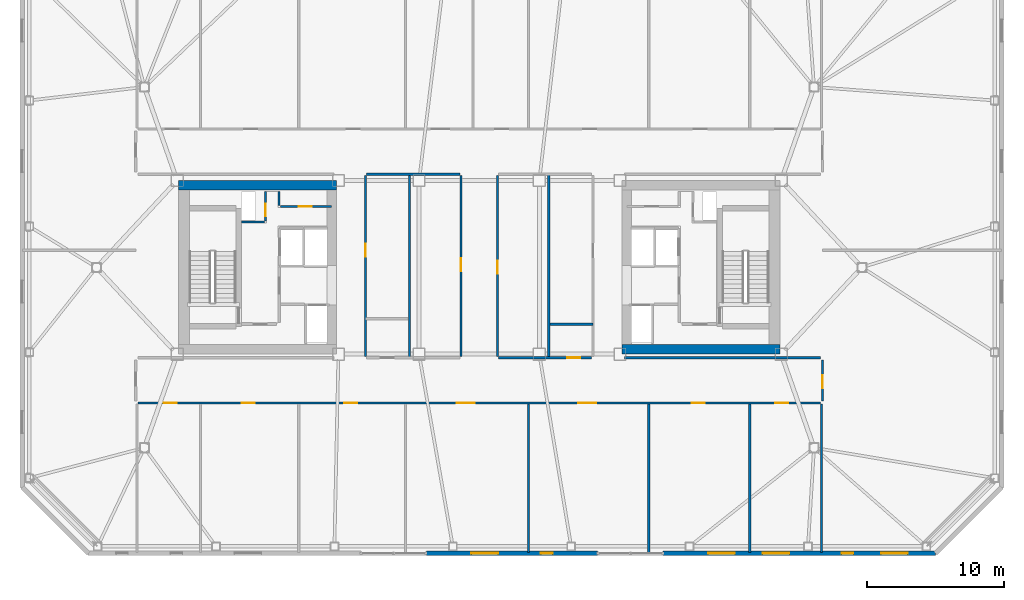
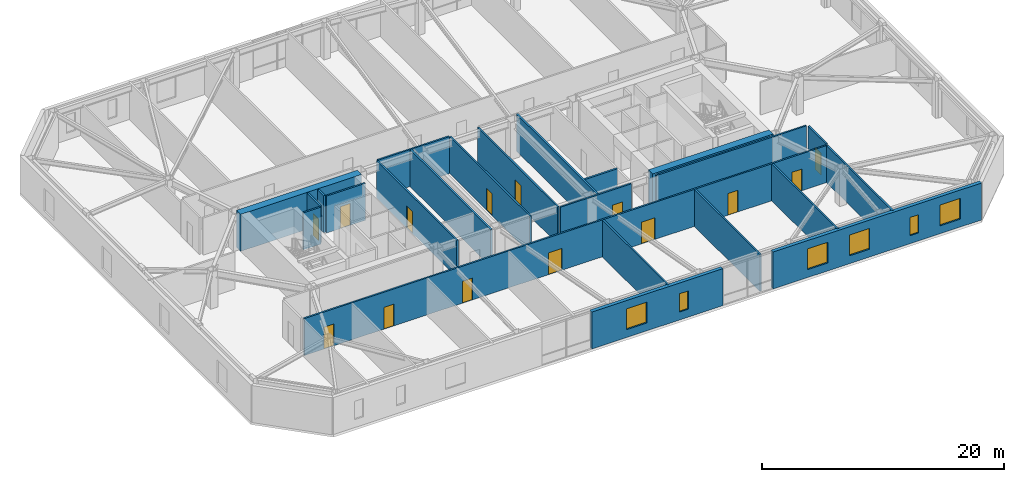
# One storey, part 11 of 18: 23 walls, 14 doors, 6 windows, 20 openings.
"""IFC4 building model written with IfcOpenShell, lengths in metres."""

from ifc_helpers import new_model, si_unit, direction, frame, frame_2d, origin, place, context, subcontext, project, spatial, rectangle, extrude, material, layer, layer_set, type_object, element, fill, save


model = new_model("IFC4")

# Units and contexts
model_context = context("Model", 3, precision=1e-05, world=origin(), true_north=direction((0.0, 1.0)))
body_context = subcontext(model_context, "Body", "Model", "MODEL_VIEW")
ifc_project = project(units=[si_unit("LENGTHUNIT", "METRE"), si_unit("AREAUNIT", "SQUARE_METRE"), si_unit("VOLUMEUNIT", "CUBIC_METRE"), si_unit("PLANEANGLEUNIT", "RADIAN"), si_unit("MASSUNIT", "GRAM", prefix="KILO")], contexts=[model_context])

# Site, building, storey
site_placement = place(None, origin())
site = spatial("IfcSite", under=ifc_project, at=site_placement, CompositionType="ELEMENT")
building_placement = place(site_placement, origin())
building = spatial("IfcBuilding", under=site, at=building_placement, Name="Tavrogorsk Clinical Tower", CompositionType="ELEMENT")
storey_placement = place(building_placement, frame((0.0, 0.0, 192.199951171875)))
storey = spatial("IfcBuildingStorey", under=building, at=storey_placement, Name="L44", CompositionType="ELEMENT", Elevation=192.199951171875)

# Wall, opening, door
ifc_material_1 = material(Name="Lightweight concrete blockwork B15", Category="masonry")
ifc_layer_1 = layer(ifc_material_1, 0.159912109375)
ifc_layer_set_1 = layer_set([ifc_layer_1], Name="Lightweight concrete blockwork B15")
wall_type_1 = type_object("IfcWallType", Name="PartitionWall_160", PredefinedType="PARTITIONING", material=ifc_layer_set_1)
wall_1_placement = place(storey_placement, frame((-14.554931640625, 4.4599609375, 0.0), z_axis=(0.0, 0.0, 1.0), x_axis=(1.0, 0.0, 0.0)))
wall_1 = element("IfcWall", 1, at=wall_1_placement, inside=storey, type_object=wall_type_1, Name="L44 Core West Pneumatic Dispatch South Wall", PredefinedType="PARTITIONING", context=body_context, shape_type="SweptSolid", body=[
    extrude(rectangle(XDim=3.7548828125, YDim=0.159912109375, at=frame_2d((1.87744140625, 0.0))), origin(), (0.0, 0.0, 1.0), 3.739990234375),
])
opening_1_placement = place(wall_1_placement, frame((1.35009765625, 0.0, 0.0)))
opening_1 = element("IfcOpeningElement", 2, at=opening_1_placement, cuts=wall_1, Name="Opening ID-02", PredefinedType="OPENING", context=body_context, shape_type="SweptSolid", body=[
    extrude(rectangle(XDim=0.949951171875, YDim=2.199951171875, at=frame_2d((0.47509765625, 1.10009765625))), frame((0.0, 0.08984375, 0.0), z_axis=(0.0, -1.0, 0.0), x_axis=(1.0, 0.0, 0.0)), (0.0, 0.0, 1.0), 0.179931640625),
])
ifc_material_2 = material(Name="Laminated timber leaf on aluminium frame", Category="wood")
door_type_1 = type_object("IfcDoorType", Name="InteriorDoor_ID02_950", OperationType="NOTDEFINED", PredefinedType="DOOR", material=ifc_material_2)
door_1_placement = place(opening_1_placement, origin())
door_1 = element("IfcDoor", 3, at=door_1_placement, inside=storey, type_object=door_type_1, Name="L44 Core West Pneumatic Dispatch Door", OperationType="SINGLE_SWING_LEFT", OverallHeight=2.199951171875, OverallWidth=0.949951171875, PredefinedType="DOOR", context=body_context, shape_type="SweptSolid", body=[
    extrude(rectangle(XDim=0.949951171875, YDim=2.199951171875, at=frame_2d((0.47509765625, 1.10009765625))), frame((0.0, 0.02490234375, 0.0), z_axis=(0.0, -1.0, 0.0), x_axis=(1.0, 0.0, 0.0)), (0.0, 0.0, 1.0), 0.050048828125),
])
fill(opening_1, door_1)

# Walls
wall_2_placement = place(storey_placement, frame((-14.639892578125, 4.544921875, 0.0), z_axis=(0.0, 0.0, 1.0), x_axis=(0.0, 1.0, 0.0)))
element("IfcWall", 4, at=wall_2_placement, inside=storey, type_object=wall_type_1, Name="L44 Core West Pneumatic Dispatch East Wall", PredefinedType="PARTITIONING", context=body_context, shape_type="SweptSolid", body=[
    extrude(rectangle(XDim=1.01513671875, YDim=0.159912109375, at=frame_2d((0.507568359375, 0.0))), origin(), (0.0, 0.0, 1.0), 3.739990234375),
])
wall_3_placement = place(storey_placement, frame((10.6298828125, -6.6201171875, 0.0), z_axis=(0.0, 0.0, 1.0), x_axis=(1.0, 0.0, 0.0)))
element("IfcWall", 5, at=wall_3_placement, inside=storey, type_object=wall_type_1, Name="L44 Corridor Partition 08", PredefinedType="PARTITIONING", context=body_context, shape_type="SweptSolid", body=[
    extrude(rectangle(XDim=14.335205078125, YDim=0.159912109375, at=frame_2d((7.16748046875, 0.0))), origin(), (0.0, 0.0, 1.0), 3.739990234375),
])

# Wall, opening, door
wall_4_placement = place(storey_placement, frame((25.1298828125, -6.784912109375, 0.0), z_axis=(0.0, 0.0, 1.0), x_axis=(0.0, -1.0, 0.0)))
wall_4 = element("IfcWall", 6, at=wall_4_placement, inside=storey, type_object=wall_type_1, Name="L44 Corridor Partition 09", PredefinedType="PARTITIONING", context=body_context, shape_type="SweptSolid", body=[
    extrude(rectangle(XDim=2.97998046875, YDim=0.159912109375, at=frame_2d((1.489990234375, 0.0))), origin(), (0.0, 0.0, 1.0), 3.739990234375),
])
opening_2_placement = place(wall_4_placement, frame((1.10009765625, 0.0, 0.0)))
opening_2 = element("IfcOpeningElement", 7, at=opening_2_placement, cuts=wall_4, Name="Opening ID-02", PredefinedType="OPENING", context=body_context, shape_type="SweptSolid", body=[
    extrude(rectangle(XDim=0.949951171875, YDim=2.199951171875, at=frame_2d((0.47509765625, 1.10009765625))), frame((0.0, 0.08984375, 0.0), z_axis=(0.0, -1.0, 0.0), x_axis=(1.0, 0.0, 0.0)), (0.0, 0.0, 1.0), 0.179931640625),
])
door_2_placement = place(opening_2_placement, origin())
door_2 = element("IfcDoor", 8, at=door_2_placement, inside=storey, type_object=door_type_1, Name="L44 E Senior Clinician Suite 1 Door", OperationType="SINGLE_SWING_RIGHT", OverallHeight=2.199951171875, OverallWidth=0.949951171875, PredefinedType="DOOR", context=body_context, shape_type="SweptSolid", body=[
    extrude(rectangle(XDim=0.949951171875, YDim=2.199951171875, at=frame_2d((0.47509765625, 1.10009765625))), frame((0.0, 0.02490234375, 0.0), z_axis=(0.0, -1.0, 0.0), x_axis=(1.0, 0.0, 0.0)), (0.0, 0.0, 1.0), 0.050048828125),
])
fill(opening_2, door_2)

# Wall, openings, doors
wall_5_placement = place(storey_placement, frame((24.965087890625, -9.929931640625, 0.0), z_axis=(0.0, 0.0, 1.0), x_axis=(-1.0, 0.0, 0.0)))
wall_5 = element("IfcWall", 9, at=wall_5_placement, inside=storey, type_object=wall_type_1, Name="L44 Corridor Partition 10", PredefinedType="PARTITIONING", context=body_context, shape_type="SweptSolid", body=[
    extrude(rectangle(XDim=49.93017578125, YDim=0.159912109375, at=frame_2d((24.965087890625, 0.0))), origin(), (0.0, 0.0, 1.0), 3.739990234375),
])
opening_3_placement = place(wall_5_placement, frame((47.10595703125, 0.0, 0.0)))
opening_3 = element("IfcOpeningElement", 10, at=opening_3_placement, cuts=wall_5, Name="Opening ID-02", PredefinedType="OPENING", context=body_context, shape_type="SweptSolid", body=[
    extrude(rectangle(XDim=0.949951171875, YDim=2.199951171875, at=frame_2d((0.47509765625, 1.10009765625))), frame((0.0, 0.08984375, 0.0), z_axis=(0.0, -1.0, 0.0), x_axis=(1.0, 0.0, 0.0)), (0.0, 0.0, 1.0), 0.179931640625),
])
opening_4_placement = place(wall_5_placement, frame((41.375, 0.0, 0.0)))
opening_4 = element("IfcOpeningElement", 11, at=opening_4_placement, cuts=wall_5, Name="Opening ID-02", PredefinedType="OPENING", context=body_context, shape_type="SweptSolid", body=[
    extrude(rectangle(XDim=0.949951171875, YDim=2.199951171875, at=frame_2d((0.47509765625, 1.10009765625))), frame((0.0, 0.08984375, 0.0), z_axis=(0.0, -1.0, 0.0), x_axis=(1.0, 0.0, 0.0)), (0.0, 0.0, 1.0), 0.179931640625),
])
opening_5_placement = place(wall_5_placement, frame((33.875, 0.0, 0.0)))
opening_5 = element("IfcOpeningElement", 12, at=opening_5_placement, cuts=wall_5, Name="Opening ID-02", PredefinedType="OPENING", context=body_context, shape_type="SweptSolid", body=[
    extrude(rectangle(XDim=0.949951171875, YDim=2.199951171875, at=frame_2d((0.47509765625, 1.10009765625))), frame((0.0, 0.08984375, 0.0), z_axis=(0.0, -1.0, 0.0), x_axis=(1.0, 0.0, 0.0)), (0.0, 0.0, 1.0), 0.179931640625),
])
opening_6_placement = place(wall_5_placement, frame((25.300048828125, 0.0, 0.0)))
opening_6 = element("IfcOpeningElement", 13, at=opening_6_placement, cuts=wall_5, Name="Opening ID-01", PredefinedType="OPENING", context=body_context, shape_type="SweptSolid", body=[
    extrude(rectangle(XDim=1.300048828125, YDim=2.199951171875, at=frame_2d((0.64990234375, 1.10009765625))), frame((0.0, 0.08984375, 0.0), z_axis=(0.0, -1.0, 0.0), x_axis=(1.0, 0.0, 0.0)), (0.0, 0.0, 1.0), 0.179931640625),
])
opening_7_placement = place(wall_5_placement, frame((16.39990234375, 0.0, 0.0)))
opening_7 = element("IfcOpeningElement", 14, at=opening_7_placement, cuts=wall_5, Name="Opening ID-01", PredefinedType="OPENING", context=body_context, shape_type="SweptSolid", body=[
    extrude(rectangle(XDim=1.300048828125, YDim=2.199951171875, at=frame_2d((0.64990234375, 1.10009765625))), frame((0.0, 0.08984375, 0.0), z_axis=(0.0, -1.0, 0.0), x_axis=(1.0, 0.0, 0.0)), (0.0, 0.0, 1.0), 0.179931640625),
])
opening_8_placement = place(wall_5_placement, frame((8.47509765625, 0.0, 0.0)))
opening_8 = element("IfcOpeningElement", 15, at=opening_8_placement, cuts=wall_5, Name="Opening ID-02", PredefinedType="OPENING", context=body_context, shape_type="SweptSolid", body=[
    extrude(rectangle(XDim=0.949951171875, YDim=2.199951171875, at=frame_2d((0.47509765625, 1.10009765625))), frame((0.0, 0.08984375, 0.0), z_axis=(0.0, -1.0, 0.0), x_axis=(1.0, 0.0, 0.0)), (0.0, 0.0, 1.0), 0.179931640625),
])
opening_9_placement = place(wall_5_placement, frame((2.343994140625, 0.0, 0.0)))
opening_9 = element("IfcOpeningElement", 16, at=opening_9_placement, cuts=wall_5, Name="Opening ID-02", PredefinedType="OPENING", context=body_context, shape_type="SweptSolid", body=[
    extrude(rectangle(XDim=0.949951171875, YDim=2.199951171875, at=frame_2d((0.47509765625, 1.10009765625))), frame((0.0, 0.08984375, 0.0), z_axis=(0.0, -1.0, 0.0), x_axis=(1.0, 0.0, 0.0)), (0.0, 0.0, 1.0), 0.179931640625),
])
door_3_placement = place(opening_3_placement, origin())
door_3 = element("IfcDoor", 17, at=door_3_placement, inside=storey, type_object=door_type_1, Name="L44 South Soiled Utility & Sluice Room 01 Door", OperationType="SINGLE_SWING_LEFT", OverallHeight=2.199951171875, OverallWidth=0.949951171875, PredefinedType="DOOR", context=body_context, shape_type="SweptSolid", body=[
    extrude(rectangle(XDim=0.949951171875, YDim=2.199951171875, at=frame_2d((0.47509765625, 1.10009765625))), frame((0.0, 0.02490234375, 0.0), z_axis=(0.0, -1.0, 0.0), x_axis=(1.0, 0.0, 0.0)), (0.0, 0.0, 1.0), 0.050048828125),
])
fill(opening_3, door_3)
door_4_placement = place(opening_4_placement, origin())
door_4 = element("IfcDoor", 18, at=door_4_placement, inside=storey, type_object=door_type_1, Name="L44 South Clinical Case Seminar Room 02 Door", OperationType="SINGLE_SWING_RIGHT", OverallHeight=2.199951171875, OverallWidth=0.949951171875, PredefinedType="DOOR", context=body_context, shape_type="SweptSolid", body=[
    extrude(rectangle(XDim=0.949951171875, YDim=2.199951171875, at=frame_2d((0.47509765625, 1.10009765625))), frame((0.0, 0.02490234375, 0.0), z_axis=(0.0, -1.0, 0.0), x_axis=(1.0, 0.0, 0.0)), (0.0, 0.0, 1.0), 0.050048828125),
])
fill(opening_4, door_4)
door_5_placement = place(opening_5_placement, origin())
door_5 = element("IfcDoor", 19, at=door_5_placement, inside=storey, type_object=door_type_1, Name="L44 South Staff Rest & Nourishment Lounge 03 Door", OperationType="SINGLE_SWING_LEFT", OverallHeight=2.199951171875, OverallWidth=0.949951171875, PredefinedType="DOOR", context=body_context, shape_type="SweptSolid", body=[
    extrude(rectangle(XDim=0.949951171875, YDim=2.199951171875, at=frame_2d((0.47509765625, 1.10009765625))), frame((0.0, 0.02490234375, 0.0), z_axis=(0.0, -1.0, 0.0), x_axis=(1.0, 0.0, 0.0)), (0.0, 0.0, 1.0), 0.050048828125),
])
fill(opening_5, door_5)
door_6_placement = place(opening_8_placement, origin())
door_6 = element("IfcDoor", 20, at=door_6_placement, inside=storey, type_object=door_type_1, Name="L44 South Soiled Utility & Sluice Room 06 Door", OperationType="SINGLE_SWING_RIGHT", OverallHeight=2.199951171875, OverallWidth=0.949951171875, PredefinedType="DOOR", context=body_context, shape_type="SweptSolid", body=[
    extrude(rectangle(XDim=0.949951171875, YDim=2.199951171875, at=frame_2d((0.47509765625, 1.10009765625))), frame((0.0, 0.02490234375, 0.0), z_axis=(0.0, -1.0, 0.0), x_axis=(1.0, 0.0, 0.0)), (0.0, 0.0, 1.0), 0.050048828125),
])
fill(opening_8, door_6)
door_7_placement = place(opening_9_placement, origin())
door_7 = element("IfcDoor", 21, at=door_7_placement, inside=storey, type_object=door_type_1, Name="L44 South Clinical Case Seminar Room 07 Door", OperationType="SINGLE_SWING_LEFT", OverallHeight=2.199951171875, OverallWidth=0.949951171875, PredefinedType="DOOR", context=body_context, shape_type="SweptSolid", body=[
    extrude(rectangle(XDim=0.949951171875, YDim=2.199951171875, at=frame_2d((0.47509765625, 1.10009765625))), frame((0.0, 0.02490234375, 0.0), z_axis=(0.0, -1.0, 0.0), x_axis=(1.0, 0.0, 0.0)), (0.0, 0.0, 1.0), 0.050048828125),
])
fill(opening_9, door_7)
ifc_material_3 = material(Name="Antibacterial HPL medical leaf on aluminium frame", Category="aluminium")
door_type_2 = type_object("IfcDoorType", Name="WardBedDoor_ID01_1300", OperationType="NOTDEFINED", PredefinedType="DOOR", material=ifc_material_3)
door_8_placement = place(opening_6_placement, origin())
door_8 = element("IfcDoor", 22, at=door_8_placement, inside=storey, type_object=door_type_2, Name="L44 South Bariatric Observation Ward 04 Door", OperationType="SINGLE_SWING_RIGHT", OverallHeight=2.199951171875, OverallWidth=1.300048828125, PredefinedType="DOOR", context=body_context, shape_type="SweptSolid", body=[
    extrude(rectangle(XDim=1.300048828125, YDim=2.199951171875, at=frame_2d((0.64990234375, 1.10009765625))), frame((0.0, 0.02490234375, 0.0), z_axis=(0.0, -1.0, 0.0), x_axis=(1.0, 0.0, 0.0)), (0.0, 0.0, 1.0), 0.050048828125),
])
fill(opening_6, door_8)
door_9_placement = place(opening_7_placement, origin())
door_9 = element("IfcDoor", 23, at=door_9_placement, inside=storey, type_object=door_type_2, Name="L44 South Surgical Step-Down Ward 05 Door", OperationType="SINGLE_SWING_LEFT", OverallHeight=2.199951171875, OverallWidth=1.300048828125, PredefinedType="DOOR", context=body_context, shape_type="SweptSolid", body=[
    extrude(rectangle(XDim=1.300048828125, YDim=2.199951171875, at=frame_2d((0.64990234375, 1.10009765625))), frame((0.0, 0.02490234375, 0.0), z_axis=(0.0, -1.0, 0.0), x_axis=(1.0, 0.0, 0.0)), (0.0, 0.0, 1.0), 0.050048828125),
])
fill(opening_7, door_9)

# Wall, opening, door
wall_6_placement = place(storey_placement, frame((1.330078125, 6.735107421875, 0.0), z_axis=(0.0, 0.0, 1.0), x_axis=(0.0, -1.0, 0.0)))
wall_6 = element("IfcWall", 24, at=wall_6_placement, inside=storey, type_object=wall_type_1, Name="L44 Corridor Partition 12", PredefinedType="PARTITIONING", context=body_context, shape_type="SweptSolid", body=[
    extrude(rectangle(XDim=13.27001953125, YDim=0.159912109375, at=frame_2d((6.635009765625, 0.0))), origin(), (0.0, 0.0, 1.0), 3.739990234375),
])
opening_10_placement = place(wall_6_placement, frame((6.2451171875, 0.0, 0.0)))
opening_10 = element("IfcOpeningElement", 25, at=opening_10_placement, cuts=wall_6, Name="Opening ID-02", PredefinedType="OPENING", context=body_context, shape_type="SweptSolid", body=[
    extrude(rectangle(XDim=0.949951171875, YDim=2.199951171875, at=frame_2d((0.47509765625, 1.10009765625))), frame((0.0, 0.08984375, 0.0), z_axis=(0.0, -1.0, 0.0), x_axis=(1.0, 0.0, 0.0)), (0.0, 0.0, 1.0), 0.179931640625),
])
door_10_placement = place(opening_10_placement, origin())
door_10 = element("IfcDoor", 26, at=door_10_placement, inside=storey, type_object=door_type_1, Name="L44 Clean Medication Preparation Room Door", OperationType="SINGLE_SWING_LEFT", OverallHeight=2.199951171875, OverallWidth=0.949951171875, PredefinedType="DOOR", context=body_context, shape_type="SweptSolid", body=[
    extrude(rectangle(XDim=0.949951171875, YDim=2.199951171875, at=frame_2d((0.47509765625, 1.10009765625))), frame((0.0, 0.02490234375, 0.0), z_axis=(0.0, -1.0, 0.0), x_axis=(1.0, 0.0, 0.0)), (0.0, 0.0, 1.0), 0.050048828125),
])
fill(opening_10, door_10)

wall_7_placement = place(storey_placement, frame((1.4150390625, -6.6201171875, 0.0), z_axis=(0.0, 0.0, 1.0), x_axis=(1.0, 0.0, 0.0)))
wall_7 = element("IfcWall", 27, at=wall_7_placement, inside=storey, type_object=wall_type_1, Name="L44 Corridor Partition 13", PredefinedType="PARTITIONING", context=body_context, shape_type="SweptSolid", body=[
    extrude(rectangle(XDim=6.820068359375, YDim=0.159912109375, at=frame_2d((3.41015625, 0.0))), origin(), (0.0, 0.0, 1.0), 3.739990234375),
])
opening_11_placement = place(wall_7_placement, frame((5.010986328125, 0.0, 0.0)))
opening_11 = element("IfcOpeningElement", 28, at=opening_11_placement, cuts=wall_7, Name="Opening ID-02", PredefinedType="OPENING", context=body_context, shape_type="SweptSolid", body=[
    extrude(rectangle(XDim=0.949951171875, YDim=2.199951171875, at=frame_2d((0.47509765625, 1.10009765625))), frame((0.0, 0.08984375, 0.0), z_axis=(0.0, -1.0, 0.0), x_axis=(1.0, 0.0, 0.0)), (0.0, 0.0, 1.0), 0.179931640625),
])
door_11_placement = place(opening_11_placement, origin())
door_11 = element("IfcDoor", 29, at=door_11_placement, inside=storey, type_object=door_type_1, Name="L44 Staff & Visitor Accessible WC Door", OperationType="SINGLE_SWING_RIGHT", OverallHeight=2.199951171875, OverallWidth=0.949951171875, PredefinedType="DOOR", context=body_context, shape_type="SweptSolid", body=[
    extrude(rectangle(XDim=0.949951171875, YDim=2.199951171875, at=frame_2d((0.47509765625, 1.10009765625))), frame((0.0, 0.02490234375, 0.0), z_axis=(0.0, -1.0, 0.0), x_axis=(1.0, 0.0, 0.0)), (0.0, 0.0, 1.0), 0.050048828125),
])
fill(opening_11, door_11)

wall_8_placement = place(storey_placement, frame((-1.330078125, -6.534912109375, 0.0), z_axis=(0.0, 0.0, 1.0), x_axis=(0.0, 1.0, 0.0)))
wall_8 = element("IfcWall", 30, at=wall_8_placement, inside=storey, type_object=wall_type_1, Name="L44 Corridor Partition 15", PredefinedType="PARTITIONING", context=body_context, shape_type="SweptSolid", body=[
    extrude(rectangle(XDim=13.27001953125, YDim=0.159912109375, at=frame_2d((6.635009765625, 0.0))), origin(), (0.0, 0.0, 1.0), 3.739990234375),
])
opening_12_placement = place(wall_8_placement, frame((6.2451171875, 0.0, 0.0)))
opening_12 = element("IfcOpeningElement", 31, at=opening_12_placement, cuts=wall_8, Name="Opening ID-02", PredefinedType="OPENING", context=body_context, shape_type="SweptSolid", body=[
    extrude(rectangle(XDim=0.949951171875, YDim=2.199951171875, at=frame_2d((0.47509765625, 1.10009765625))), frame((0.0, 0.08984375, 0.0), z_axis=(0.0, -1.0, 0.0), x_axis=(1.0, 0.0, 0.0)), (0.0, 0.0, 1.0), 0.179931640625),
])
door_12_placement = place(opening_12_placement, origin())
door_12 = element("IfcDoor", 32, at=door_12_placement, inside=storey, type_object=door_type_1, Name="L44 Nurses' Station & Telemetry Hub Door", OperationType="SINGLE_SWING_RIGHT", OverallHeight=2.199951171875, OverallWidth=0.949951171875, PredefinedType="DOOR", context=body_context, shape_type="SweptSolid", body=[
    extrude(rectangle(XDim=0.949951171875, YDim=2.199951171875, at=frame_2d((0.47509765625, 1.10009765625))), frame((0.0, 0.02490234375, 0.0), z_axis=(0.0, -1.0, 0.0), x_axis=(1.0, 0.0, 0.0)), (0.0, 0.0, 1.0), 0.050048828125),
])
fill(opening_12, door_12)

# Wall
wall_9_placement = place(storey_placement, frame((-1.4150390625, 6.820068359375, 0.0), z_axis=(0.0, 0.0, 1.0), x_axis=(-1.0, 0.0, 0.0)))
element("IfcWall", 33, at=wall_9_placement, inside=storey, type_object=wall_type_1, Name="L44 Corridor Partition 16", PredefinedType="PARTITIONING", context=body_context, shape_type="SweptSolid", body=[
    extrude(rectangle(XDim=6.820068359375, YDim=0.159912109375, at=frame_2d((3.41015625, 0.0))), origin(), (0.0, 0.0, 1.0), 3.739990234375),
])

# Wall, opening, door
wall_10_placement = place(storey_placement, frame((-8.320068359375, 6.735107421875, 0.0), z_axis=(0.0, 0.0, 1.0), x_axis=(0.0, -1.0, 0.0)))
wall_10 = element("IfcWall", 34, at=wall_10_placement, inside=storey, type_object=wall_type_1, Name="L44 Corridor Partition 17", PredefinedType="PARTITIONING", context=body_context, shape_type="SweptSolid", body=[
    extrude(rectangle(XDim=13.27001953125, YDim=0.159912109375, at=frame_2d((6.635009765625, 0.0))), origin(), (0.0, 0.0, 1.0), 3.739990234375),
])
opening_13_placement = place(wall_10_placement, frame((5.004150390625, 0.0, 0.0)))
opening_13 = element("IfcOpeningElement", 35, at=opening_13_placement, cuts=wall_10, Name="Opening ID-02", PredefinedType="OPENING", context=body_context, shape_type="SweptSolid", body=[
    extrude(rectangle(XDim=0.949951171875, YDim=2.199951171875, at=frame_2d((0.47509765625, 1.10009765625))), frame((0.0, 0.08984375, 0.0), z_axis=(0.0, -1.0, 0.0), x_axis=(1.0, 0.0, 0.0)), (0.0, 0.0, 1.0), 0.179931640625),
])
door_13_placement = place(opening_13_placement, origin())
door_13 = element("IfcDoor", 36, at=door_13_placement, inside=storey, type_object=door_type_1, Name="L44 Ward Nourishment Pantry Door", OperationType="SINGLE_SWING_LEFT", OverallHeight=2.199951171875, OverallWidth=0.949951171875, PredefinedType="DOOR", context=body_context, shape_type="SweptSolid", body=[
    extrude(rectangle(XDim=0.949951171875, YDim=2.199951171875, at=frame_2d((0.47509765625, 1.10009765625))), frame((0.0, 0.02490234375, 0.0), z_axis=(0.0, -1.0, 0.0), x_axis=(1.0, 0.0, 0.0)), (0.0, 0.0, 1.0), 0.050048828125),
])
fill(opening_13, door_13)

# Walls
for number, where, z_axis, x_axis, name in (
    (37, (25.050048828125, -20.860107421875, 0.0), (0.0, 0.0, 1.0), (0.0, 1.0, 0.0), "L44 SE Wing Closure Partition"),
    (38, (3.60009765625, -20.860107421875, 0.0), (0.0, 0.0, 1.0), (0.0, 1.0, 0.0), "L44 South Room Partition 4"),
    (39, (12.39990234375, -20.860107421875, 0.0), (0.0, 0.0, 1.0), (0.0, 1.0, 0.0), "L44 South Room Partition 5"),
    (40, (19.800048828125, -20.860107421875, 0.0), (0.0, 0.0, 1.0), (0.0, 1.0, 0.0), "L44 South Room Partition 6"),
):
    element("IfcWall", number, at=place(storey_placement, frame(where, z_axis=z_axis, x_axis=x_axis)), inside=storey, type_object=wall_type_1, Name=name, PredefinedType="PARTITIONING", context=body_context, shape_type="SweptSolid", body=[
        extrude(rectangle(XDim=10.84521484375, YDim=0.159912109375, at=frame_2d((5.422607421875, 0.0))), origin(), (0.0, 0.0, 1.0), 3.739990234375),
    ])
ifc_material_4 = material(Name="Lightweight concrete blockwork B20", Category="masonry")
ifc_layer_2 = layer(ifc_material_4, 0.179931640625)
ifc_layer_set_2 = layer_set([ifc_layer_2], Name="Lightweight concrete blockwork B20")
wall_type_2 = type_object("IfcWallType", Name="PartitionWall_180", PredefinedType="PARTITIONING", material=ifc_layer_set_2)
for number, where, z_axis, x_axis, name in (
    (41, (-5.10009765625, -6.614990234375, 0.0), (0.0, 0.0, 1.0), (0.0, 1.0, 0.0), "L44 Central Spine Partition 1"),
    (42, (5.10009765625, -6.614990234375, 0.0), (0.0, 0.0, 1.0), (0.0, 1.0, 0.0), "L44 Central Spine Partition 2"),
):
    element("IfcWall", number, at=place(storey_placement, frame(where, z_axis=z_axis, x_axis=x_axis)), inside=storey, type_object=wall_type_2, Name=name, PredefinedType="PARTITIONING", context=body_context, shape_type="SweptSolid", body=[
        extrude(rectangle(XDim=13.429931640625, YDim=0.179931640625, at=frame_2d((6.71484375, 0.0))), origin(), (0.0, 0.0, 1.0), 3.739990234375),
    ])
wall_11_placement = place(storey_placement, frame((5.195068359375, -4.14990234375, 0.0), z_axis=(0.0, 0.0, 1.0), x_axis=(1.0, 0.0, 0.0)))
element("IfcWall", 43, at=wall_11_placement, inside=storey, type_object=wall_type_2, Name="L44 Central Spine Partition 4", PredefinedType="PARTITIONING", context=body_context, shape_type="SweptSolid", body=[
    extrude(rectangle(XDim=3.119873046875, YDim=0.179931640625, at=frame_2d((1.56005859375, 0.0))), origin(), (0.0, 0.0, 1.0), 3.739990234375),
])

# Wall, openings, windows
ifc_material_5 = material(Name="Precast concrete B45 with limestone cladding", Category="masonry")
ifc_layer_3 = layer(ifc_material_5, 0.340087890625)
ifc_layer_set_3 = layer_set([ifc_layer_3], Name="Precast concrete B45 with limestone cladding")
wall_type_3 = type_object("IfcWallType", Name="PrecastLimestoneWall_340", PredefinedType="STANDARD", material=ifc_layer_set_3)
wall_12_placement = place(storey_placement, frame((-3.86279296875, -20.929931640625, 0.0), z_axis=(0.0, 0.0, 1.0), x_axis=(1.0, 0.0, 0.0)))
wall_12 = element("IfcWall", 44, at=wall_12_placement, inside=storey, type_object=wall_type_3, Name="L44 S Limestone Facade Wall 2", PredefinedType="STANDARD", context=body_context, shape_type="SweptSolid", body=[
    extrude(rectangle(XDim=12.525634765625, YDim=0.340087890625, at=frame_2d((6.2626953125, 0.0))), origin(), (0.0, 0.0, 1.0), 3.739990234375),
])
opening_14_placement = place(wall_12_placement, frame((3.29541015625, 0.0, 0.800048828125)))
opening_14 = element("IfcOpeningElement", 45, at=opening_14_placement, cuts=wall_12, Name="Opening WN-13", PredefinedType="OPENING", context=body_context, shape_type="SweptSolid", body=[
    extrude(rectangle(XDim=1.949951171875, YDim=2.10009765625, at=frame_2d((0.97509765625, 1.050048828125))), frame((0.0, 0.179931640625, 0.0), z_axis=(0.0, -1.0, 0.0), x_axis=(1.0, 0.0, 0.0)), (0.0, 0.0, 1.0), 0.360107421875),
])
opening_15_placement = place(wall_12_placement, frame((8.38037109375, 0.0, 0.800048828125)))
opening_15 = element("IfcOpeningElement", 46, at=opening_15_placement, cuts=wall_12, Name="Opening WN-06", PredefinedType="OPENING", context=body_context, shape_type="SweptSolid", body=[
    extrude(rectangle(XDim=0.85009765625, YDim=1.85009765625, at=frame_2d((0.425048828125, 0.925048828125))), frame((0.0, 0.179931640625, 0.0), z_axis=(0.0, -1.0, 0.0), x_axis=(1.0, 0.0, 0.0)), (0.0, 0.0, 1.0), 0.360107421875),
])
ifc_material_6 = material(Name="Thermally broken aluminium frame and triple IGU", Category="aluminium")
window_type_1 = type_object("IfcWindowType", Name="ExamRoomWin_1950x2100", PartitioningType="DOUBLE_PANEL_VERTICAL", PredefinedType="WINDOW", material=ifc_material_6)
window_1_placement = place(opening_14_placement, origin())
window_1 = element("IfcWindow", 47, at=window_1_placement, inside=storey, type_object=window_type_1, Name="L44 S Chicago Window 05", OverallHeight=2.10009765625, OverallWidth=1.949951171875, PartitioningType="SINGLE_PANEL", PredefinedType="WINDOW", context=body_context, shape_type="SweptSolid", body=[
    extrude(rectangle(XDim=1.949951171875, YDim=2.10009765625, at=frame_2d((0.97509765625, 1.050048828125))), frame((0.0, 0.030029296875, 0.0), z_axis=(0.0, -1.0, 0.0), x_axis=(1.0, 0.0, 0.0)), (0.0, 0.0, 1.0), 0.06005859375),
])
fill(opening_14, window_1)
ifc_material_7 = material(Name="Thermally broken aluminium frame and triple IGU", Category="aluminium")
window_type_2 = type_object("IfcWindowType", Name="MullionSubWin_850x1850", PartitioningType="SINGLE_PANEL", PredefinedType="WINDOW", material=ifc_material_7)
window_2_placement = place(opening_15_placement, origin())
window_2 = element("IfcWindow", 48, at=window_2_placement, inside=storey, type_object=window_type_2, Name="L44 S Mullion Split Window 06B", OverallHeight=1.85009765625, OverallWidth=0.85009765625, PartitioningType="SINGLE_PANEL", PredefinedType="WINDOW", context=body_context, shape_type="SweptSolid", body=[
    extrude(rectangle(XDim=0.85009765625, YDim=1.85009765625, at=frame_2d((0.425048828125, 0.925048828125))), frame((0.0, 0.030029296875, 0.0), z_axis=(0.0, -1.0, 0.0), x_axis=(1.0, 0.0, 0.0)), (0.0, 0.0, 1.0), 0.06005859375),
])
fill(opening_15, window_2)

wall_13_placement = place(storey_placement, frame((13.462890625, -20.929931640625, 0.0), z_axis=(0.0, 0.0, 1.0), x_axis=(1.0, 0.0, 0.0)))
wall_13 = element("IfcWall", 49, at=wall_13_placement, inside=storey, type_object=wall_type_3, Name="L44 S Limestone Facade Wall 3", PredefinedType="STANDARD", context=body_context, shape_type="SweptSolid", body=[
    extrude(rectangle(XDim=19.93701171875, YDim=0.340087890625, at=frame_2d((9.968505859375, 0.0))), origin(), (0.0, 0.0, 1.0), 3.739990234375),
])
opening_16_placement = place(wall_13_placement, frame((3.29541015625, 0.0, 0.800048828125)))
opening_16 = element("IfcOpeningElement", 50, at=opening_16_placement, cuts=wall_13, Name="Opening WN-13", PredefinedType="OPENING", context=body_context, shape_type="SweptSolid", body=[
    extrude(rectangle(XDim=1.949951171875, YDim=2.10009765625, at=frame_2d((0.97509765625, 1.050048828125))), frame((0.0, 0.179931640625, 0.0), z_axis=(0.0, -1.0, 0.0), x_axis=(1.0, 0.0, 0.0)), (0.0, 0.0, 1.0), 0.360107421875),
])
opening_17_placement = place(wall_13_placement, frame((7.2802734375, 0.0, 0.800048828125)))
opening_17 = element("IfcOpeningElement", 51, at=opening_17_placement, cuts=wall_13, Name="Opening WN-13", PredefinedType="OPENING", context=body_context, shape_type="SweptSolid", body=[
    extrude(rectangle(XDim=1.949951171875, YDim=2.10009765625, at=frame_2d((0.97509765625, 1.050048828125))), frame((0.0, 0.179931640625, 0.0), z_axis=(0.0, -1.0, 0.0), x_axis=(1.0, 0.0, 0.0)), (0.0, 0.0, 1.0), 0.360107421875),
])
opening_18_placement = place(wall_13_placement, frame((13.058349609375, 0.0, 0.800048828125)))
opening_18 = element("IfcOpeningElement", 52, at=opening_18_placement, cuts=wall_13, Name="Opening WN-06", PredefinedType="OPENING", context=body_context, shape_type="SweptSolid", body=[
    extrude(rectangle(XDim=0.85009765625, YDim=1.85009765625, at=frame_2d((0.425048828125, 0.925048828125))), frame((0.0, 0.179931640625, 0.0), z_axis=(0.0, -1.0, 0.0), x_axis=(1.0, 0.0, 0.0)), (0.0, 0.0, 1.0), 0.360107421875),
])
opening_19_placement = place(wall_13_placement, frame((15.943115234375, 0.0, 0.800048828125)))
opening_19 = element("IfcOpeningElement", 53, at=opening_19_placement, cuts=wall_13, Name="Opening WN-13", PredefinedType="OPENING", context=body_context, shape_type="SweptSolid", body=[
    extrude(rectangle(XDim=1.949951171875, YDim=2.10009765625, at=frame_2d((0.97509765625, 1.050048828125))), frame((0.0, 0.179931640625, 0.0), z_axis=(0.0, -1.0, 0.0), x_axis=(1.0, 0.0, 0.0)), (0.0, 0.0, 1.0), 0.360107421875),
])
window_3_placement = place(opening_16_placement, origin())
window_3 = element("IfcWindow", 54, at=window_3_placement, inside=storey, type_object=window_type_1, Name="L44 S Chicago Window 07", OverallHeight=2.10009765625, OverallWidth=1.949951171875, PartitioningType="SINGLE_PANEL", PredefinedType="WINDOW", context=body_context, shape_type="SweptSolid", body=[
    extrude(rectangle(XDim=1.949951171875, YDim=2.10009765625, at=frame_2d((0.97509765625, 1.050048828125))), frame((0.0, 0.030029296875, 0.0), z_axis=(0.0, -1.0, 0.0), x_axis=(1.0, 0.0, 0.0)), (0.0, 0.0, 1.0), 0.06005859375),
])
fill(opening_16, window_3)
window_4_placement = place(opening_17_placement, origin())
window_4 = element("IfcWindow", 55, at=window_4_placement, inside=storey, type_object=window_type_1, Name="L44 S Chicago Window 08", OverallHeight=2.10009765625, OverallWidth=1.949951171875, PartitioningType="SINGLE_PANEL", PredefinedType="WINDOW", context=body_context, shape_type="SweptSolid", body=[
    extrude(rectangle(XDim=1.949951171875, YDim=2.10009765625, at=frame_2d((0.97509765625, 1.050048828125))), frame((0.0, 0.030029296875, 0.0), z_axis=(0.0, -1.0, 0.0), x_axis=(1.0, 0.0, 0.0)), (0.0, 0.0, 1.0), 0.06005859375),
])
fill(opening_17, window_4)
window_5_placement = place(opening_19_placement, origin())
window_5 = element("IfcWindow", 56, at=window_5_placement, inside=storey, type_object=window_type_1, Name="L44 S Chicago Window 10", OverallHeight=2.10009765625, OverallWidth=1.949951171875, PartitioningType="SINGLE_PANEL", PredefinedType="WINDOW", context=body_context, shape_type="SweptSolid", body=[
    extrude(rectangle(XDim=1.949951171875, YDim=2.10009765625, at=frame_2d((0.97509765625, 1.050048828125))), frame((0.0, 0.030029296875, 0.0), z_axis=(0.0, -1.0, 0.0), x_axis=(1.0, 0.0, 0.0)), (0.0, 0.0, 1.0), 0.06005859375),
])
fill(opening_19, window_5)
window_6_placement = place(opening_18_placement, origin())
window_6 = element("IfcWindow", 57, at=window_6_placement, inside=storey, type_object=window_type_2, Name="L44 S Mullion Split Window 09B", OverallHeight=1.85009765625, OverallWidth=0.85009765625, PartitioningType="SINGLE_PANEL", PredefinedType="WINDOW", context=body_context, shape_type="SweptSolid", body=[
    extrude(rectangle(XDim=0.85009765625, YDim=1.85009765625, at=frame_2d((0.425048828125, 0.925048828125))), frame((0.0, 0.030029296875, 0.0), z_axis=(0.0, -1.0, 0.0), x_axis=(1.0, 0.0, 0.0)), (0.0, 0.0, 1.0), 0.06005859375),
])
fill(opening_18, window_6)

# Wall, opening, door
ifc_material_8 = material(Name="Lightweight concrete blockwork B25", Category="masonry")
ifc_layer_4 = layer(ifc_material_8, 0.159912109375)
ifc_layer_set_4 = layer_set([ifc_layer_4], Name="Lightweight concrete blockwork B25")
wall_type_4 = type_object("IfcWallType", Name="ShaftWall_160", PredefinedType="PARTITIONING", material=ifc_layer_set_4)
wall_14_placement = place(storey_placement, frame((-15.639892578125, 3.405029296875, 0.0), z_axis=(0.0, 0.0, 1.0), x_axis=(0.0, 1.0, 0.0)))
wall_14 = element("IfcWall", 58, at=wall_14_placement, inside=storey, type_object=wall_type_4, Name="L44 Core West Riser West Wall", PredefinedType="PARTITIONING", context=body_context, shape_type="SweptSolid", body=[
    extrude(rectangle(XDim=2.155029296875, YDim=0.159912109375, at=frame_2d((1.07763671875, 0.0))), origin(), (0.0, 0.0, 1.0), 3.739990234375),
])
opening_20_placement = place(wall_14_placement, frame((0.35009765625, 0.0, 0.0)))
opening_20 = element("IfcOpeningElement", 59, at=opening_20_placement, cuts=wall_14, Name="Opening FD-02", PredefinedType="OPENING", context=body_context, shape_type="SweptSolid", body=[
    extrude(rectangle(XDim=0.89990234375, YDim=2.199951171875, at=frame_2d((0.449951171875, 1.10009765625))), frame((0.0, 0.08984375, 0.0), z_axis=(0.0, -1.0, 0.0), x_axis=(1.0, 0.0, 0.0)), (0.0, 0.0, 1.0), 0.179931640625),
])
ifc_material_9 = material(Name="Galvanised steel fire-rated door assembly", Category="steel")
door_type_3 = type_object("IfcDoorType", Name="FireDoor_FD02_900", OperationType="NOTDEFINED", PredefinedType="DOOR", material=ifc_material_9)
door_14_placement = place(opening_20_placement, origin())
door_14 = element("IfcDoor", 60, at=door_14_placement, inside=storey, type_object=door_type_3, Name="L44 Core West Electrical Riser Access Door", OperationType="SINGLE_SWING_LEFT", OverallHeight=2.199951171875, OverallWidth=0.89990234375, PredefinedType="DOOR", context=body_context, shape_type="SweptSolid", body=[
    extrude(rectangle(XDim=0.89990234375, YDim=2.199951171875, at=frame_2d((0.449951171875, 1.10009765625))), frame((0.0, 0.02490234375, 0.0), z_axis=(0.0, -1.0, 0.0), x_axis=(1.0, 0.0, 0.0)), (0.0, 0.0, 1.0), 0.050048828125),
])
fill(opening_20, door_14)

# Walls
wall_15_placement = place(storey_placement, frame((-17.3798828125, 3.320068359375, 0.0), z_axis=(0.0, 0.0, 1.0), x_axis=(1.0, 0.0, 0.0)))
element("IfcWall", 61, at=wall_15_placement, inside=storey, type_object=wall_type_4, Name="L44 Core West Riser South Wall", PredefinedType="PARTITIONING", context=body_context, shape_type="SweptSolid", body=[
    extrude(rectangle(XDim=1.65478515625, YDim=0.159912109375, at=frame_2d((0.827392578125, 0.0))), origin(), (0.0, 0.0, 1.0), 3.739990234375),
])
ifc_material_10 = material(Name="Concrete B80", Category="concrete")
ifc_layer_5 = layer(ifc_material_10, 0.699951171875)
ifc_layer_set_5 = layer_set([ifc_layer_5], Name="Concrete B80")
wall_type_5 = type_object("IfcWallType", Name="ShearWall_700", PredefinedType="SHEAR", material=ifc_layer_set_5)
for number, where, z_axis, x_axis, name in (
    (62, (-22.0, 6.0, 0.0), (0.0, 0.0, 1.0), (1.0, 0.0, 0.0), "L44 Core West North Shear Wall"),
    (63, (10.449951171875, -6.0, 0.0), (0.0, 0.0, 1.0), (1.0, 0.0, 0.0), "L44 Core East South Shear Wall"),
):
    element("IfcWall", number, at=place(storey_placement, frame(where, z_axis=z_axis, x_axis=x_axis)), inside=storey, type_object=wall_type_5, Name=name, PredefinedType="SHEAR", context=body_context, shape_type="SweptSolid", body=[
        extrude(rectangle(XDim=11.550048828125, YDim=0.699951171875, at=frame_2d((5.77490234375, 0.0))), origin(), (0.0, 0.0, 1.0), 3.739990234375),
    ])

save(model, "model.ifc")
